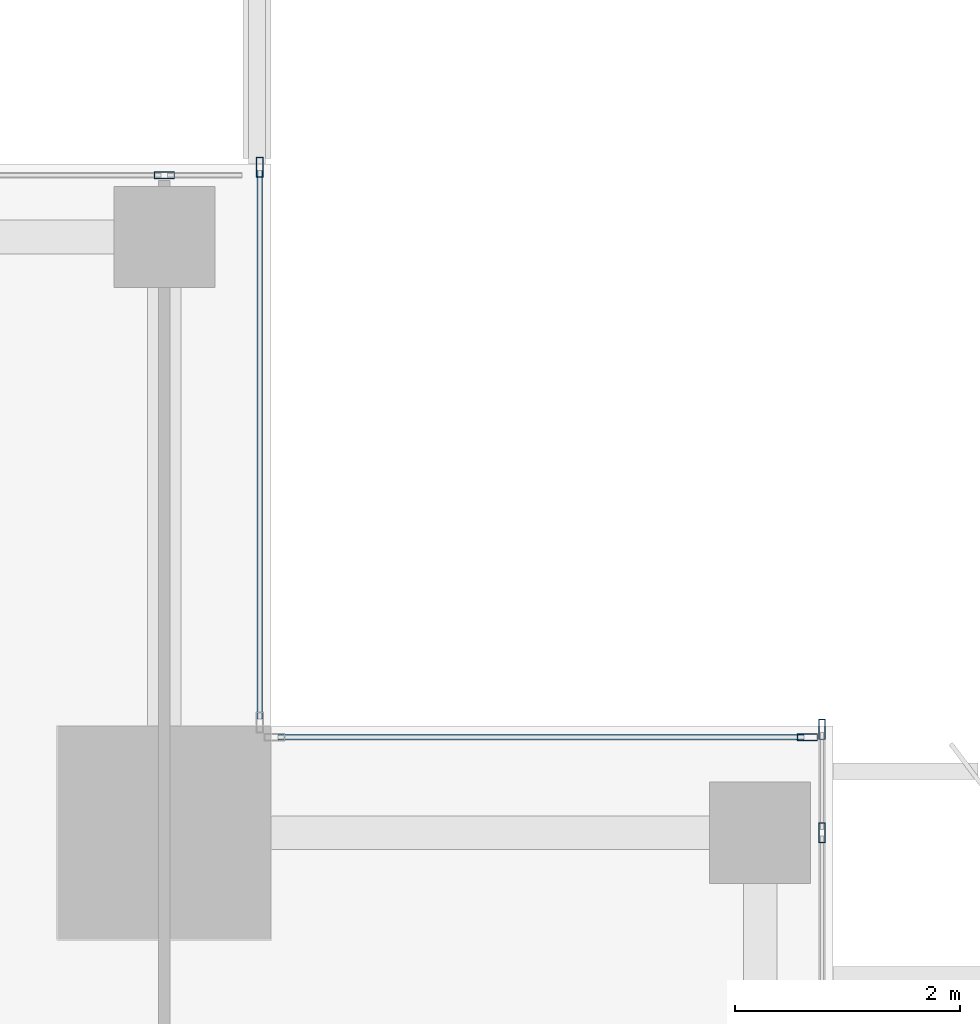
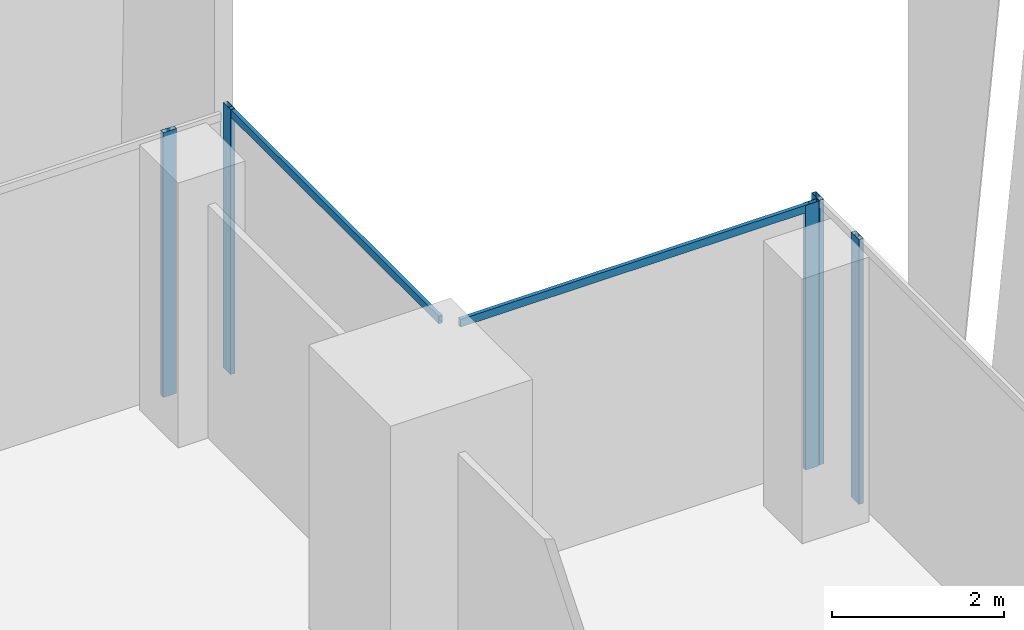
# One storey, part 19 of 33: 7 members, 4 elements without a shape of their own.
"""IFC4 building model written with IfcOpenShell, lengths in metres."""

from ifc_helpers import new_model, si_unit, direction, frame, origin, origin_2d, place, context, subcontext, project, spatial, hollow_rectangle, extrude, source, transform, mapped, material, material_profile, profile_set, type_object, element, aggregate, save


model = new_model("IFC4")

# Units and contexts
model_context = context("Model", 3, precision=1e-05, world=origin(), true_north=direction((0.0, 1.0)))
body_context = subcontext(model_context, "Body", "Model", "MODEL_VIEW")
ifc_project = project(units=[si_unit("LENGTHUNIT", "METRE"), si_unit("AREAUNIT", "SQUARE_METRE"), si_unit("VOLUMEUNIT", "CUBIC_METRE"), si_unit("PLANEANGLEUNIT", "RADIAN"), si_unit("MASSUNIT", "GRAM", prefix="KILO")], contexts=[model_context])

# Site, building, storey
site_placement = place(None, origin())
site = spatial("IfcSite", under=ifc_project, at=site_placement, CompositionType="ELEMENT")
building_placement = place(site_placement, origin())
building = spatial("IfcBuilding", under=site, at=building_placement, Name="Khomas Fold Tower", CompositionType="ELEMENT")
storey_placement = place(building_placement, frame((0.0, 0.0, 234.199951171875)))
storey = spatial("IfcBuildingStorey", under=building, at=storey_placement, Name="L52", CompositionType="ELEMENT", Elevation=234.199951171875)

# Curtain wall, members
ifc_material_1 = material(Name="Aluminium framed double glazing", Category="aluminium")
curtain_wall_type = type_object("IfcCurtainWallType", Name="SK-Unitised clear-glass wall, office floors CW2", PredefinedType="NOTDEFINED", material=ifc_material_1)
curtain_wall_1_placement = place(storey_placement, origin())
curtain_wall_1 = element("IfcCurtainWall", 1, at=curtain_wall_1_placement, inside=storey, type_object=curtain_wall_type, Name="CW2 run L52 03-0", PredefinedType="NOTDEFINED")
ifc_material_2 = material(Name="Aluminium", Category="aluminium")
ifc_material_profile_1 = material_profile(ifc_material_2, hollow_rectangle(XDim=0.06005859375, YDim=0.179931640625, WallThickness=0.00390625, at=origin_2d()), Name="SK-Unitised clear-glass wall, office floors mullion CW2-M")
ifc_profile_set_1 = profile_set([ifc_material_profile_1], Name="Aluminium")
member_type_1 = type_object("IfcMemberType", Name="SK-Unitised clear-glass wall, office floors mullion CW2-M", PredefinedType="MULLION", material=ifc_profile_set_1)
shared_shape_1 = source(origin(), body_context, "Body", "SweptSolid", [
    extrude(hollow_rectangle(XDim=0.06005859375, YDim=0.179931640625, WallThickness=0.00390625, at=origin_2d()), origin(), (0.0, 0.0, 1.0), 3.75),
])
member_1_placement = place(storey_placement, frame((49.39990234375, 43.550048828125, 0.0), z_axis=(0.0, 0.0, 1.0), x_axis=(-1.0, 0.0, 0.0)))
member_1 = element("IfcMember", 2, at=member_1_placement, type_object=member_type_1, Name="CW2 mullion 6", PredefinedType="MULLION", context=body_context, shape_type="MappedRepresentation", body=[
    mapped(shared_shape_1, transform((0.0, 0.0, 0.0))),
])
member_2_placement = place(storey_placement, frame((49.39990234375, 44.469970703125, 0.0), z_axis=(0.0, 0.0, 1.0), x_axis=(-1.0, 0.0, 0.0)))
member_2 = element("IfcMember", 3, at=member_2_placement, type_object=member_type_1, Name="CW2 mullion 7", PredefinedType="MULLION", context=body_context, shape_type="MappedRepresentation", body=[
    mapped(shared_shape_1, transform((0.0, 0.0, 0.0))),
])
aggregate(curtain_wall_1, [member_1, member_2])

# Curtain wall, member
curtain_wall_2_placement = place(storey_placement, origin())
curtain_wall_2 = element("IfcCurtainWall", 4, at=curtain_wall_2_placement, inside=storey, type_object=curtain_wall_type, Name="CW2 corner return L52 04", PredefinedType="NOTDEFINED")
member_3_placement = place(storey_placement, frame((49.27001953125, 44.39990234375, 0.0), z_axis=(0.0, 0.0, 1.0), x_axis=(0.0, -1.0, 0.0)))
member_3 = element("IfcMember", 5, at=member_3_placement, type_object=member_type_1, Name="CW2 mullion 1", PredefinedType="MULLION", context=body_context, shape_type="MappedRepresentation", body=[
    mapped(shared_shape_1, transform((0.0, 0.0, 0.0))),
])

curtain_wall_3_placement = place(storey_placement, origin())
curtain_wall_3 = element("IfcCurtainWall", 6, at=curtain_wall_3_placement, inside=storey, type_object=curtain_wall_type, Name="CW2 corner return L52 05", PredefinedType="NOTDEFINED")
member_4_placement = place(storey_placement, frame((44.39990234375, 49.469970703125, 0.0), z_axis=(0.0, 0.0, 1.0), x_axis=(-1.0, 0.0, 0.0)))
member_4 = element("IfcMember", 7, at=member_4_placement, type_object=member_type_1, Name="CW2 mullion 2", PredefinedType="MULLION", context=body_context, shape_type="MappedRepresentation", body=[
    mapped(shared_shape_1, transform((0.0, 0.0, 0.0))),
])

curtain_wall_4_placement = place(storey_placement, origin())
curtain_wall_4 = element("IfcCurtainWall", 8, at=curtain_wall_4_placement, inside=storey, type_object=curtain_wall_type, Name="CW2 run L52 06-0", PredefinedType="NOTDEFINED")
member_5_placement = place(storey_placement, frame((43.550048828125, 49.39990234375, 0.0), z_axis=(0.0, 0.0, 1.0), x_axis=(0.0, -1.0, 0.0)))
member_5 = element("IfcMember", 9, at=member_5_placement, type_object=member_type_1, Name="CW2 mullion 2", PredefinedType="MULLION", context=body_context, shape_type="MappedRepresentation", body=[
    mapped(shared_shape_1, transform((0.0, 0.0, 0.0))),
])
aggregate(curtain_wall_4, [member_5])

# Member
ifc_material_3 = material(Name="Aluminium", Category="aluminium")
ifc_material_profile_2 = material_profile(ifc_material_3, hollow_rectangle(XDim=0.050048828125, YDim=0.110107421875, WallThickness=0.00390625, at=origin_2d()), Name="SK-Unitised clear-glass wall, office floors transom CW2-T")
ifc_profile_set_2 = profile_set([ifc_material_profile_2], Name="Aluminium")
member_type_2 = type_object("IfcMemberType", Name="SK-Unitised clear-glass wall, office floors transom CW2-T", PredefinedType="USERDEFINED", material=ifc_profile_set_2)
shared_shape_2 = source(origin(), body_context, "Body", "SweptSolid", [
    extrude(hollow_rectangle(XDim=0.050048828125, YDim=0.110107421875, WallThickness=0.00390625, at=origin_2d()), origin(), (0.0, 0.0, 1.0), 4.679931640625),
])
member_6_placement = place(storey_placement, frame((49.239990234375, 44.39990234375, 3.695068359375), z_axis=(-1.0, 0.0, 0.0), x_axis=(0.0, -1.0, 0.0)))
member_6 = element("IfcMember", 10, at=member_6_placement, type_object=member_type_2, Name="CW2 transom 1", ObjectType="TRANSOM", PredefinedType="USERDEFINED", context=body_context, shape_type="MappedRepresentation", body=[
    mapped(shared_shape_2, transform((0.0, 0.0, 0.0))),
])

aggregate(curtain_wall_2, [member_3, member_6])

shared_shape_3 = source(origin(), body_context, "Body", "SweptSolid", [
    extrude(hollow_rectangle(XDim=0.050048828125, YDim=0.110107421875, WallThickness=0.00390625, at=origin_2d()), origin(), (0.0, 0.0, 1.0), 4.8798828125),
])
member_7_placement = place(storey_placement, frame((44.39990234375, 44.56005859375, 3.695068359375), z_axis=(0.0, 1.0, 0.0), x_axis=(-1.0, 0.0, 0.0)))
member_7 = element("IfcMember", 11, at=member_7_placement, type_object=member_type_2, Name="CW2 transom 1", ObjectType="TRANSOM", PredefinedType="USERDEFINED", context=body_context, shape_type="MappedRepresentation", body=[
    mapped(shared_shape_3, transform((0.0, 0.0, 0.0))),
])

aggregate(curtain_wall_3, [member_4, member_7])

save(model, "model.ifc")
